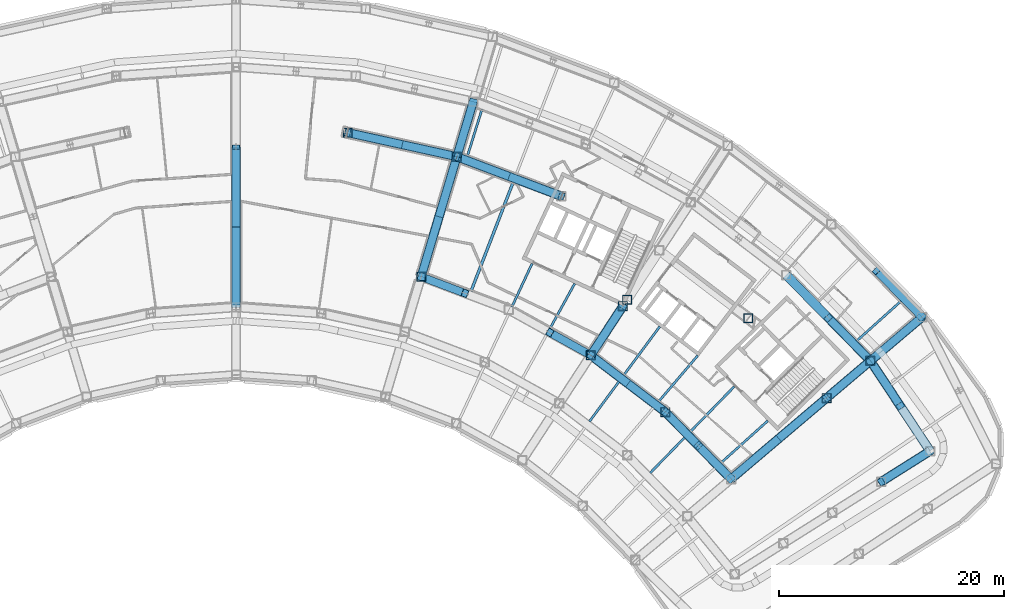
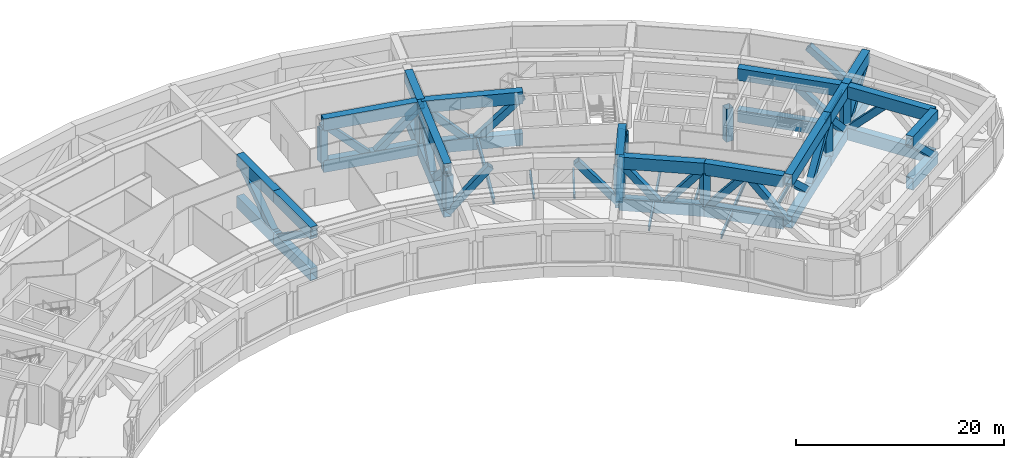
# One storey, part 6 of 30: 41 beams, 34 members.
"""IFC4 building model written with IfcOpenShell, lengths in metres."""

import ifcopenshell
import ifcopenshell.guid

model = None  # the IFC model being written
_history = None  # IfcOwnerHistory: only IFC2X3 demands one
_inside = {}  # id of a spatial element -> (the spatial element, [elements in it])
_under = {}  # id of a project, library or spatial element -> (it, [spatial elements below it])
_declared = {}  # id of a project -> (the project, [libraries it declares])
_typed = {}  # id of a type object -> (the type object, [elements of that type])
_made_of = {}  # id of a material, layer set ... -> (it, [elements and type objects made of it])


def new_model(schema):
    """Start an empty IFC model of exactly this schema.

    Asked for "IFC4X3", IfcOpenShell would pick the latest addendum, in which some entities
    have other attributes; the version numbers below select the first issue.
    IFC2X3 requires an IfcOwnerHistory on every rooted entity: one is made here for all.
    """
    global model, _history
    if schema == "IFC4X3":
        model = ifcopenshell.file(schema_version=(4, 3, 0, 0))
    else:
        model = ifcopenshell.file(schema=schema)
    _inside.clear()
    _under.clear()
    _declared.clear()
    _typed.clear()
    _made_of.clear()
    _history = None
    if model.schema == "IFC2X3":
        org = make("IfcOrganization", Name="unknown")
        user = make(
            "IfcPersonAndOrganization",
            ThePerson=make("IfcPerson", FamilyName="unknown"),
            TheOrganization=org,
        )
        app = make(
            "IfcApplication",
            ApplicationDeveloper=org,
            Version="unknown",
            ApplicationFullName="unknown",
            ApplicationIdentifier="unknown",
        )
        _history = make(
            "IfcOwnerHistory",
            OwningUser=user,
            OwningApplication=app,
            ChangeAction="ADDED",
            CreationDate=0,
        )
    return model


def make(cls, **values):
    """One entity of the class cls with the attributes given. An attribute that is None is left unset."""
    return model.create_entity(
        cls, **{name: value for name, value in values.items() if value is not None}
    )


def rooted(cls, **values):
    """An entity with a GlobalId (a new one), such as an element, a storey or a relation."""
    return make(cls, GlobalId=ifcopenshell.guid.new(), OwnerHistory=_history, **values)


def si_unit(unit_type, name, prefix=None):
    """IfcSIUnit, for example si_unit("LENGTHUNIT", "METRE", prefix="MILLI")."""
    return make("IfcSIUnit", UnitType=unit_type, Prefix=prefix, Name=name)


def assignment(units):
    """IfcUnitAssignment: the units of a project."""
    return None if units is None else make("IfcUnitAssignment", Units=units)


def point(xyz):
    """IfcCartesianPoint."""
    return None if xyz is None else make("IfcCartesianPoint", Coordinates=xyz)


def direction(xyz):
    """IfcDirection."""
    return None if xyz is None else make("IfcDirection", DirectionRatios=xyz)


def frame(location, z_axis=None, x_axis=None):
    """IfcAxis2Placement3D, a coordinate frame: its origin and axes. An axis left out is left unset."""
    return make(
        "IfcAxis2Placement3D",
        Location=point(location),
        Axis=direction(z_axis),
        RefDirection=direction(x_axis),
    )


def frame_2d(location, x_axis=None):
    """IfcAxis2Placement2D, a coordinate frame in the plane: its origin and x axis."""
    return make(
        "IfcAxis2Placement2D", Location=point(location), RefDirection=direction(x_axis)
    )


def origin():
    """The frame at (0, 0, 0) with its axes left unset."""
    return frame((0.0, 0.0, 0.0))


def origin_2d():
    """The frame at (0, 0) in the plane with its x axis left unset."""
    return frame_2d((0.0, 0.0))


def place(relative_to, where):
    """IfcLocalPlacement: puts the frame where relative to a parent placement (None: the world)."""
    return make(
        "IfcLocalPlacement", PlacementRelTo=relative_to, RelativePlacement=where
    )


def context(
    kind, dimensions, precision=None, world=None, true_north=None, identifier=None
):
    """IfcGeometricRepresentationContext, for example the 3D "Model" context."""
    return make(
        "IfcGeometricRepresentationContext",
        ContextIdentifier=identifier,
        ContextType=kind,
        CoordinateSpaceDimension=dimensions,
        Precision=precision,
        WorldCoordinateSystem=world,
        TrueNorth=true_north,
    )


def subcontext(parent, identifier, kind, view, scale=None):
    """IfcGeometricRepresentationSubContext, for example "Body" below "Model"."""
    return make(
        "IfcGeometricRepresentationSubContext",
        ContextIdentifier=identifier,
        ContextType=kind,
        ParentContext=parent,
        TargetScale=scale,
        TargetView=view,
    )


def project(units=None, contexts=None):
    """IfcProject with its units and contexts."""
    return rooted(
        "IfcProject",
        Name="project",
        RepresentationContexts=contexts,
        UnitsInContext=assignment(units),
    )


def spatial(cls, under=None, at=None, **own):
    """A site, building, storey or space (cls), placed at a placement, below another one or the project."""
    s = rooted(cls, ObjectPlacement=at, **own)
    if under is not None:
        _under.setdefault(under.id(), (under, []))[1].append(s)
    return s


def profile(cls, at=None, kind="AREA", **sizes):
    """A parametric profile (cls). Its sizes go by their IFC names, for example OverallWidth=200.0."""
    return make(cls, ProfileType=kind, Position=at, **sizes)


def hollow_rectangle(**sizes):
    """IfcRectangleHollowProfileDef."""
    return profile("IfcRectangleHollowProfileDef", **sizes)


def i_section(**sizes):
    """IfcIShapeProfileDef."""
    return profile("IfcIShapeProfileDef", **sizes)


def extrude(swept, where, along, depth):
    """IfcExtrudedAreaSolid: the profile swept, set in the frame where, extruded along a direction by depth."""
    return make(
        "IfcExtrudedAreaSolid",
        SweptArea=swept,
        Position=where,
        ExtrudedDirection=direction(along),
        Depth=depth,
    )


def shape(context_of_items, identifier, shape_type, items):
    """IfcShapeRepresentation: the items that make up one representation, for example the "Body"."""
    return make(
        "IfcShapeRepresentation",
        ContextOfItems=context_of_items,
        RepresentationIdentifier=identifier,
        RepresentationType=shape_type,
        Items=items,
    )


def material(Name=None, Category=None):
    """IfcMaterial."""
    return make("IfcMaterial", Name=Name, Category=Category)


def material_profile(
    of_material, cross_section, Name=None, Category=None, Priority=None
):
    """IfcMaterialProfile: a cross section and its material."""
    return make(
        "IfcMaterialProfile",
        Name=Name,
        Material=of_material,
        Profile=cross_section,
        Priority=Priority,
        Category=Category,
    )


def profile_set(profiles, Name=None, composite=None):
    """IfcMaterialProfileSet."""
    return make(
        "IfcMaterialProfileSet",
        Name=Name,
        MaterialProfiles=profiles,
        CompositeProfile=composite,
    )


def made_of(thing, what):
    """Note that an element or type object is made of a material, layer set ...; save() writes the relation."""
    if what is not None:
        _made_of.setdefault(what.id(), (what, []))[1].append(thing)
    return thing


def type_object(cls, material=None, **own):
    """A type object (cls), such as IfcWallType, which elements share."""
    return made_of(rooted(cls, **own), material)


def element(
    cls,
    number,
    at=None,
    inside=None,
    cuts=None,
    type_object=None,
    material=None,
    context=None,
    identifier="Body",
    shape_type=None,
    held_by="IfcProductDefinitionShape",
    body=None,
    shapes=None,
    **own,
):
    """One element of the class cls, such as IfcWall. Its Tag is "e" and its number.

    at: its placement. inside: the storey or other place that contains it. cuts: it is an
    opening in that element (IfcRelVoidsElement). A single representation is given by context,
    identifier, shape_type and body (its items); several are given by shapes. held_by: the class
    of the entity that holds the representations. save() writes the other relations.
    """
    e = rooted(cls, Tag="e%d" % number, ObjectPlacement=at, **own)
    if body is not None:
        shapes = [shape(context, identifier, shape_type, body)]
    if shapes is not None:
        e.Representation = make(held_by, Representations=shapes)
    if inside is not None:
        _inside.setdefault(inside.id(), (inside, []))[1].append(e)
    if cuts is not None:
        rooted(
            "IfcRelVoidsElement", RelatingBuildingElement=cuts, RelatedOpeningElement=e
        )
    if type_object is not None:
        _typed.setdefault(type_object.id(), (type_object, []))[1].append(e)
    return made_of(e, material)


def aggregate(whole, parts):
    """IfcRelAggregates: a whole, such as a stair, and the parts it consists of."""
    return rooted("IfcRelAggregates", RelatingObject=whole, RelatedObjects=parts)


def save(model, path):
    """Write the relations noted so far, then the file.

    IfcRelAggregates (storeys below a building ...), IfcRelContainedInSpatialStructure (elements
    in a storey), IfcRelDefinesByType, IfcRelAssociatesMaterial and IfcRelDeclares: one each for
    every whole, place, type object, material and project.
    """
    for whole, parts in _under.values():
        aggregate(whole, parts)
    for where, things in _inside.values():
        rooted(
            "IfcRelContainedInSpatialStructure",
            RelatedElements=things,
            RelatingStructure=where,
        )
    for kind, things in _typed.values():
        rooted("IfcRelDefinesByType", RelatedObjects=things, RelatingType=kind)
    for what, things in _made_of.values():
        rooted("IfcRelAssociatesMaterial", RelatedObjects=things, RelatingMaterial=what)
    for by, libraries in _declared.values():
        rooted("IfcRelDeclares", RelatingContext=by, RelatedDefinitions=libraries)
    model.write(path)


model = new_model("IFC4")

# Units and contexts
model_context = context("Model", 3, precision=1e-05, world=origin(), true_north=direction((0.0, 1.0)))
body_context = subcontext(model_context, "Body", "Model", "MODEL_VIEW")
ifc_project = project(units=[si_unit("LENGTHUNIT", "METRE"), si_unit("AREAUNIT", "SQUARE_METRE"), si_unit("VOLUMEUNIT", "CUBIC_METRE"), si_unit("PLANEANGLEUNIT", "RADIAN"), si_unit("MASSUNIT", "GRAM", prefix="KILO")], contexts=[model_context])

# Site, building, storey
site_placement = place(None, origin())
site = spatial("IfcSite", under=ifc_project, at=site_placement, CompositionType="ELEMENT")
building_placement = place(site_placement, origin())
building = spatial("IfcBuilding", under=site, at=building_placement, Name="Tuul Gate Civic Tower", CompositionType="ELEMENT")
storey_placement = place(building_placement, frame((0.0, 0.0, 26.699951171875)))
storey = spatial("IfcBuildingStorey", under=building, at=storey_placement, Name="Plant and refuge floor 1", CompositionType="ELEMENT", Elevation=26.699951171875)

# Beams
ifc_material_1 = material(Name="Steel S355", Category="steel")
ifc_material_profile_1 = material_profile(ifc_material_1, i_section(OverallWidth=0.199951171875, OverallDepth=0.5, WebThickness=0.010009765625, FlangeThickness=0.01611328125, at=origin_2d()), Name="PG500x200x10x16")
ifc_profile_set_1 = profile_set([ifc_material_profile_1], Name="Steel S355")
beam_type_1 = type_object("IfcBeamType", Name="STR-FLOOR BEAM-PG500x200x10x16", PredefinedType="BEAM", material=ifc_profile_set_1)
beam_1_placement = place(storey_placement, frame((43.076904296875, -21.297119140625, -0.64990234375), z_axis=(0.743850003805, 0.668346595591, 0.0), x_axis=(-0.668346595591, 0.743850003805, 0.0)))
element("IfcBeam", 1, at=beam_1_placement, inside=storey, type_object=beam_type_1, Name="Floor beam", PredefinedType="BEAM", context=body_context, shape_type="SweptSolid", body=[
    extrude(i_section(OverallWidth=0.199951171875, OverallDepth=0.5, WebThickness=0.010009765625, FlangeThickness=0.01611328125, at=origin_2d()), origin(), (0.0, 0.0, 1.0), 5.610107421875),
])
beam_2_placement = place(storey_placement, frame((55.139404296875, -10.45947265625, -0.64990234375), z_axis=(0.74386143975, 0.668333867504, 0.0), x_axis=(-0.668333867504, 0.74386143975, 0.0)))
element("IfcBeam", 2, at=beam_2_placement, inside=storey, type_object=beam_type_1, Name="Floor beam", PredefinedType="BEAM", context=body_context, shape_type="SweptSolid", body=[
    extrude(i_section(OverallWidth=0.199951171875, OverallDepth=0.5, WebThickness=0.010009765625, FlangeThickness=0.01611328125, at=origin_2d()), origin(), (0.0, 0.0, 1.0), 5.304443359375),
])
beam_3_placement = place(storey_placement, frame((36.80029296875, -22.17919921875, -0.64990234375), z_axis=(0.69738884561, 0.716692959376, 0.0), x_axis=(-0.716692959376, 0.69738884561, 0.0)))
element("IfcBeam", 3, at=beam_3_placement, inside=storey, type_object=beam_type_1, Name="Floor beam", PredefinedType="BEAM", context=body_context, shape_type="SweptSolid", body=[
    extrude(i_section(OverallWidth=0.199951171875, OverallDepth=0.5, WebThickness=0.010009765625, FlangeThickness=0.01611328125, at=origin_2d()), origin(), (0.0, 0.0, 1.0), 4.401123046875),
])
beam_4_placement = place(storey_placement, frame((40.35791015625, -18.523193359375, -0.64990234375), z_axis=(0.697351332293, 0.716729460361, 0.0), x_axis=(-0.716729460361, 0.697351332293, 0.0)))
element("IfcBeam", 4, at=beam_4_placement, inside=storey, type_object=beam_type_1, Name="Floor beam", PredefinedType="BEAM", context=body_context, shape_type="SweptSolid", body=[
    extrude(i_section(OverallWidth=0.199951171875, OverallDepth=0.5, WebThickness=0.010009765625, FlangeThickness=0.01611328125, at=origin_2d()), origin(), (0.0, 0.0, 1.0), 5.6064453125),
])
beam_5_placement = place(storey_placement, frame((37.52978515625, -15.8583984375, -0.64990234375), z_axis=(0.647749419, 0.761853457159, 0.0), x_axis=(-0.761853457159, 0.647749419, 0.0)))
element("IfcBeam", 5, at=beam_5_placement, inside=storey, type_object=beam_type_1, Name="Floor beam", PredefinedType="BEAM", context=body_context, shape_type="SweptSolid", body=[
    extrude(i_section(OverallWidth=0.199951171875, OverallDepth=0.5, WebThickness=0.010009765625, FlangeThickness=0.01611328125, at=origin_2d()), origin(), (0.0, 0.0, 1.0), 5.402587890625),
])
beam_6_placement = place(storey_placement, frame((31.402587890625, -17.603271484375, -0.64990234375), z_axis=(0.595195706564, 0.803580780562, 0.0), x_axis=(-0.803580780562, 0.595195706564, 0.0)))
element("IfcBeam", 6, at=beam_6_placement, inside=storey, type_object=beam_type_1, Name="Floor beam", PredefinedType="BEAM", context=body_context, shape_type="SweptSolid", body=[
    extrude(i_section(OverallWidth=0.199951171875, OverallDepth=0.5, WebThickness=0.010009765625, FlangeThickness=0.01611328125, at=origin_2d()), origin(), (0.0, 0.0, 1.0), 4.400390625),
])
beam_7_placement = place(storey_placement, frame((34.438232421875, -13.504638671875, -0.64990234375), z_axis=(0.595211319649, 0.803569216037, 0.0), x_axis=(-0.803569216037, 0.595211319649, 0.0)))
element("IfcBeam", 7, at=beam_7_placement, inside=storey, type_object=beam_type_1, Name="Floor beam", PredefinedType="BEAM", context=body_context, shape_type="SweptSolid", body=[
    extrude(i_section(OverallWidth=0.199951171875, OverallDepth=0.5, WebThickness=0.010009765625, FlangeThickness=0.01611328125, at=origin_2d()), origin(), (0.0, 0.0, 1.0), 5.395751953125),
])
beam_8_placement = place(storey_placement, frame((27.90478515625, -9.318603515625, -0.64990234375), z_axis=(0.482334151839, 0.875987309251, 0.0), x_axis=(-0.875987309251, 0.482334151839, 0.0)))
element("IfcBeam", 8, at=beam_8_placement, inside=storey, type_object=beam_type_1, Name="Floor beam", PredefinedType="BEAM", context=body_context, shape_type="SweptSolid", body=[
    extrude(i_section(OverallWidth=0.199951171875, OverallDepth=0.5, WebThickness=0.010009765625, FlangeThickness=0.01611328125, at=origin_2d()), origin(), (0.0, 0.0, 1.0), 4.5341796875),
])
beam_9_placement = place(storey_placement, frame((24.50341796875, -7.43310546875, -0.64990234375), z_axis=(0.4224956944, 0.906364931037, 0.0), x_axis=(-0.906364931037, 0.4224956944, 0.0)))
element("IfcBeam", 9, at=beam_9_placement, inside=storey, type_object=beam_type_1, Name="Floor beam", PredefinedType="BEAM", context=body_context, shape_type="SweptSolid", body=[
    extrude(i_section(OverallWidth=0.199951171875, OverallDepth=0.5, WebThickness=0.010009765625, FlangeThickness=0.01611328125, at=origin_2d()), origin(), (0.0, 0.0, 1.0), 4.25244140625),
])
beam_10_placement = place(storey_placement, frame((20.54443359375, 5.951904296875, -0.64990234375), z_axis=(0.297423386988, 0.954745688062, 0.0), x_axis=(-0.954745688062, 0.297423386988, 0.0)))
element("IfcBeam", 10, at=beam_10_placement, inside=storey, type_object=beam_type_1, Name="Floor beam", PredefinedType="BEAM", context=body_context, shape_type="SweptSolid", body=[
    extrude(i_section(OverallWidth=0.199951171875, OverallDepth=0.5, WebThickness=0.010009765625, FlangeThickness=0.01611328125, at=origin_2d()), origin(), (0.0, 0.0, 1.0), 4.407958984375),
])
ifc_material_2 = material(Name="Steel S355", Category="steel")
ifc_material_profile_2 = material_profile(ifc_material_2, i_section(OverallWidth=0.25, OverallDepth=0.64990234375, WebThickness=0.011962890625, FlangeThickness=0.02001953125, at=origin_2d()), Name="PG650x250x12x20")
ifc_profile_set_2 = profile_set([ifc_material_profile_2], Name="Steel S355")
beam_type_2 = type_object("IfcBeamType", Name="STR-FLOOR BEAM-PG650x250x12x20", PredefinedType="BEAM", material=ifc_profile_set_2)
beam_11_placement = place(storey_placement, frame((20.87255859375, -6.039306640625, -0.724853515625), z_axis=(0.360774794801, 0.932652961951, 0.0), x_axis=(-0.932652961951, 0.360774794801, 0.0)))
element("IfcBeam", 11, at=beam_11_placement, inside=storey, type_object=beam_type_2, Name="Floor beam", PredefinedType="BEAM", context=body_context, shape_type="SweptSolid", body=[
    extrude(i_section(OverallWidth=0.25, OverallDepth=0.64990234375, WebThickness=0.011962890625, FlangeThickness=0.02001953125, at=origin_2d()), origin(), (0.0, 0.0, 1.0), 10.400390625),
])
ifc_material_3 = material(Name="Steel S460", Category="steel")
ifc_material_profile_3 = material_profile(ifc_material_3, hollow_rectangle(XDim=0.800048828125, YDim=1.39990234375, WallThickness=0.0400390625, at=origin_2d()), Name="BOX1400x800x40")
ifc_profile_set_3 = profile_set([ifc_material_profile_3], Name="Steel S460")
beam_type_3 = type_object("IfcBeamType", Name="STR-TRANSFER TRUSS CHORD-BOX1400x800x40", PredefinedType="BEAM", material=ifc_profile_set_3)
beam_12_placement = place(storey_placement, frame((21.076416015625, 10.8291015625, -1.099853515625), z_axis=(-0.285222788824, -0.95846124634, 0.0), x_axis=(0.95846124634, -0.285222788824, 0.0)))
element("IfcBeam", 12, at=beam_12_placement, inside=storey, type_object=beam_type_3, Name="Radial truss bottom chord", PredefinedType="BEAM", context=body_context, shape_type="SweptSolid", body=[
    extrude(hollow_rectangle(XDim=0.800048828125, YDim=1.39990234375, WallThickness=0.0400390625, at=origin_2d()), origin(), (0.0, 0.0, 1.0), 5.113525390625),
])
beam_13_placement = place(storey_placement, frame((19.617919921875, 5.927978515625, -1.099853515625), z_axis=(-0.285181622403, -0.958473495848, 0.0), x_axis=(0.958473495848, -0.285181622403, 0.0)))
element("IfcBeam", 13, at=beam_13_placement, inside=storey, type_object=beam_type_3, Name="Radial truss bottom chord", PredefinedType="BEAM", context=body_context, shape_type="SweptSolid", body=[
    extrude(hollow_rectangle(XDim=0.800048828125, YDim=1.39990234375, WallThickness=0.0400390625, at=origin_2d()), origin(), (0.0, 0.0, 1.0), 11.129150390625),
])
beam_14_placement = place(storey_placement, frame((21.076416015625, 10.8291015625, 3.800048828125), z_axis=(-0.285222788824, -0.95846124634, 0.0), x_axis=(0.95846124634, -0.285222788824, 0.0)))
element("IfcBeam", 14, at=beam_14_placement, inside=storey, type_object=beam_type_3, Name="Radial truss top chord", PredefinedType="BEAM", context=body_context, shape_type="SweptSolid", body=[
    extrude(hollow_rectangle(XDim=0.800048828125, YDim=1.39990234375, WallThickness=0.0400390625, at=origin_2d()), origin(), (0.0, 0.0, 1.0), 5.113525390625),
])
beam_15_placement = place(storey_placement, frame((19.617919921875, 5.927978515625, 3.800048828125), z_axis=(-0.285181622403, -0.958473495848, 0.0), x_axis=(0.958473495848, -0.285181622403, 0.0)))
element("IfcBeam", 15, at=beam_15_placement, inside=storey, type_object=beam_type_3, Name="Radial truss top chord", PredefinedType="BEAM", context=body_context, shape_type="SweptSolid", body=[
    extrude(hollow_rectangle(XDim=0.800048828125, YDim=1.39990234375, WallThickness=0.0400390625, at=origin_2d()), origin(), (0.0, 0.0, 1.0), 11.129150390625),
])
beam_16_placement = place(storey_placement, frame((60.9609375, -8.327880859375, -1.099853515625), z_axis=(-0.762814843241, -0.646616976989, 0.0), x_axis=(0.646616976989, -0.762814843241, 0.0)))
element("IfcBeam", 16, at=beam_16_placement, inside=storey, type_object=beam_type_3, Name="Radial truss bottom chord", PredefinedType="BEAM", context=body_context, shape_type="SweptSolid", body=[
    extrude(hollow_rectangle(XDim=0.800048828125, YDim=1.39990234375, WallThickness=0.0400390625, at=origin_2d()), origin(), (0.0, 0.0, 1.0), 6.015380859375),
])
beam_17_placement = place(storey_placement, frame((56.372314453125, -12.217529296875, -1.099853515625), z_axis=(-0.762840917867, -0.646586215464, 0.0), x_axis=(0.646586215464, -0.762840917867, 0.0)))
element("IfcBeam", 17, at=beam_17_placement, inside=storey, type_object=beam_type_3, Name="Radial truss bottom chord", PredefinedType="BEAM", context=body_context, shape_type="SweptSolid", body=[
    extrude(hollow_rectangle(XDim=0.800048828125, YDim=1.39990234375, WallThickness=0.0400390625, at=origin_2d()), origin(), (0.0, 0.0, 1.0), 5.113525390625),
])
beam_18_placement = place(storey_placement, frame((52.471435546875, -15.52392578125, -1.099853515625), z_axis=(-0.762835995983, -0.646592022246, 0.0), x_axis=(0.646592022246, -0.762835995983, 0.0)))
element("IfcBeam", 18, at=beam_18_placement, inside=storey, type_object=beam_type_3, Name="Radial truss bottom chord", PredefinedType="BEAM", context=body_context, shape_type="SweptSolid", body=[
    extrude(hollow_rectangle(XDim=0.800048828125, YDim=1.39990234375, WallThickness=0.0400390625, at=origin_2d()), origin(), (0.0, 0.0, 1.0), 11.129150390625),
])
beam_19_placement = place(storey_placement, frame((60.9609375, -8.327880859375, 3.800048828125), z_axis=(-0.762814843241, -0.646616976989, 0.0), x_axis=(0.646616976989, -0.762814843241, 0.0)))
element("IfcBeam", 19, at=beam_19_placement, inside=storey, type_object=beam_type_3, Name="Radial truss top chord", PredefinedType="BEAM", context=body_context, shape_type="SweptSolid", body=[
    extrude(hollow_rectangle(XDim=0.800048828125, YDim=1.39990234375, WallThickness=0.0400390625, at=origin_2d()), origin(), (0.0, 0.0, 1.0), 6.015380859375),
])
beam_20_placement = place(storey_placement, frame((56.372314453125, -12.217529296875, 3.800048828125), z_axis=(-0.762840917867, -0.646586215464, 0.0), x_axis=(0.646586215464, -0.762840917867, 0.0)))
element("IfcBeam", 20, at=beam_20_placement, inside=storey, type_object=beam_type_3, Name="Radial truss top chord", PredefinedType="BEAM", context=body_context, shape_type="SweptSolid", body=[
    extrude(hollow_rectangle(XDim=0.800048828125, YDim=1.39990234375, WallThickness=0.0400390625, at=origin_2d()), origin(), (0.0, 0.0, 1.0), 5.113525390625),
])
beam_21_placement = place(storey_placement, frame((52.471435546875, -15.52392578125, 3.800048828125), z_axis=(-0.762835995983, -0.646592022246, 0.0), x_axis=(0.646592022246, -0.762835995983, 0.0)))
element("IfcBeam", 21, at=beam_21_placement, inside=storey, type_object=beam_type_3, Name="Radial truss top chord", PredefinedType="BEAM", context=body_context, shape_type="SweptSolid", body=[
    extrude(hollow_rectangle(XDim=0.800048828125, YDim=1.39990234375, WallThickness=0.0400390625, at=origin_2d()), origin(), (0.0, 0.0, 1.0), 11.129150390625),
])
for number, where, z_axis, x_axis, name in (
    (22, (0.0, 6.77978515625, -1.099853515625), (0.0, -1.0, 0.0), (1.0, 0.0, 0.0), "Radial truss bottom chord"),
    (23, (0.0, -0.338623046875, -1.099853515625), (0.0, -1.0, 0.0), (1.0, 0.0, 0.0), "Radial truss bottom chord"),
    (24, (0.0, 6.77978515625, 3.800048828125), (0.0, -1.0, 0.0), (1.0, 0.0, 0.0), "Radial truss top chord"),
    (25, (0.0, -0.338623046875, 3.800048828125), (0.0, -1.0, 0.0), (1.0, 0.0, 0.0), "Radial truss top chord"),
):
    element("IfcBeam", number, at=place(storey_placement, frame(where, z_axis=z_axis, x_axis=x_axis)), inside=storey, type_object=beam_type_3, Name=name, PredefinedType="BEAM", context=body_context, shape_type="SweptSolid", body=[
        extrude(hollow_rectangle(XDim=0.800048828125, YDim=1.39990234375, WallThickness=0.0400390625, at=origin_2d()), origin(), (0.0, 0.0, 1.0), 7.118408203125),
    ])
for number, where, z_axis, x_axis, name in (
    (26, (34.380615234375, -7.3466796875, -1.099853515625), (-0.546722092591, -0.837314130702, 0.0), (0.837314130702, -0.546722092591, 0.0), "Radial truss bottom chord"),
    (27, (34.380615234375, -7.3466796875, 3.800048828125), (-0.546722092591, -0.837314130702, 0.0), (0.837314130702, -0.546722092591, 0.0), "Radial truss top chord"),
):
    element("IfcBeam", number, at=place(storey_placement, frame(where, z_axis=z_axis, x_axis=x_axis)), inside=storey, type_object=beam_type_3, Name=name, PredefinedType="BEAM", context=body_context, shape_type="SweptSolid", body=[
        extrude(hollow_rectangle(XDim=0.800048828125, YDim=1.39990234375, WallThickness=0.0400390625, at=origin_2d()), origin(), (0.0, 0.0, 1.0), 5.228271484375),
    ])
for number, where, z_axis, x_axis, name in (
    (28, (56.3720703125, -12.217041015625, -1.099853515625), (-0.700006025331, 0.714136936798, 0.0), (-0.714136936798, -0.700006025331, 0.0), "Belt truss bottom chord"),
    (29, (56.3720703125, -12.217041015625, 3.800048828125), (-0.700006025331, 0.714136936798, 0.0), (-0.714136936798, -0.700006025331, 0.0), "Belt truss top chord"),
):
    element("IfcBeam", number, at=place(storey_placement, frame(where, z_axis=z_axis, x_axis=x_axis)), inside=storey, type_object=beam_type_3, Name=name, PredefinedType="BEAM", context=body_context, shape_type="SweptSolid", body=[
        extrude(hollow_rectangle(XDim=0.800048828125, YDim=1.39990234375, WallThickness=0.0400390625, at=origin_2d()), origin(), (0.0, 0.0, 1.0), 10.67724609375),
    ])
for number, where, z_axis, x_axis, name in (
    (30, (9.912353515625, 8.06689453125, -1.099853515625), (0.9765692044, -0.215203598988, 0.0), (0.215203598988, 0.9765692044, 0.0), "Belt truss bottom chord"),
    (31, (9.912353515625, 8.06689453125, 3.800048828125), (0.9765692044, -0.215203598988, 0.0), (0.215203598988, 0.9765692044, 0.0), "Belt truss top chord"),
):
    element("IfcBeam", number, at=place(storey_placement, frame(where, z_axis=z_axis, x_axis=x_axis)), inside=storey, type_object=beam_type_3, Name=name, PredefinedType="BEAM", context=body_context, shape_type="SweptSolid", body=[
        extrude(hollow_rectangle(XDim=0.800048828125, YDim=1.39990234375, WallThickness=0.0400390625, at=origin_2d()), origin(), (0.0, 0.0, 1.0), 9.537353515625),
    ])
for number, where, z_axis, x_axis, name in (
    (32, (19.617919921875, 5.927978515625, -1.099853515625), (0.935371714164, -0.353666165108, 0.0), (0.353666165108, 0.935371714164, 0.0), "Belt truss bottom chord"),
    (33, (19.617919921875, 5.927978515625, 3.800048828125), (0.935371714164, -0.353666165108, 0.0), (0.353666165108, 0.935371714164, 0.0), "Belt truss top chord"),
):
    element("IfcBeam", number, at=place(storey_placement, frame(where, z_axis=z_axis, x_axis=x_axis)), inside=storey, type_object=beam_type_3, Name=name, PredefinedType="BEAM", context=body_context, shape_type="SweptSolid", body=[
        extrude(hollow_rectangle(XDim=0.800048828125, YDim=1.39990234375, WallThickness=0.0400390625, at=origin_2d()), origin(), (0.0, 0.0, 1.0), 9.9384765625),
    ])
for number, where, z_axis, x_axis, name in (
    (34, (61.6708984375, -20.22998046875, -1.099853515625), (-0.551586630676, 0.834117610927, 0.0), (-0.834117610927, -0.551586630676, 0.0), "Belt truss bottom chord"),
    (35, (61.6708984375, -20.22998046875, 3.800048828125), (-0.551586630676, 0.834117610927, 0.0), (-0.834117610927, -0.551586630676, 0.0), "Belt truss top chord"),
):
    element("IfcBeam", number, at=place(storey_placement, frame(where, z_axis=z_axis, x_axis=x_axis)), inside=storey, type_object=beam_type_3, Name=name, PredefinedType="BEAM", context=body_context, shape_type="SweptSolid", body=[
        extrude(hollow_rectangle(XDim=0.800048828125, YDim=1.39990234375, WallThickness=0.0400390625, at=origin_2d()), origin(), (0.0, 0.0, 1.0), 9.203857421875),
    ])
for number, where, z_axis, x_axis, name in (
    (36, (38.14990234375, -16.770751953125, -1.099853515625), (0.700021234992, -0.71412202778, 0.0), (0.71412202778, 0.700021234992, 0.0), "Belt truss bottom chord"),
    (37, (38.14990234375, -16.770751953125, 3.800048828125), (0.700021234992, -0.71412202778, 0.0), (0.71412202778, 0.700021234992, 0.0), "Belt truss top chord"),
):
    element("IfcBeam", number, at=place(storey_placement, frame(where, z_axis=z_axis, x_axis=x_axis)), inside=storey, type_object=beam_type_3, Name=name, PredefinedType="BEAM", context=body_context, shape_type="SweptSolid", body=[
        extrude(hollow_rectangle(XDim=0.800048828125, YDim=1.39990234375, WallThickness=0.0400390625, at=origin_2d()), origin(), (0.0, 0.0, 1.0), 7.9296875),
    ])
for number, where, z_axis, x_axis, name in (
    (38, (31.522216796875, -11.724365234375, -1.099853515625), (0.795621404468, -0.605794173587, 0.0), (0.605794173587, 0.795621404468, 0.0), "Belt truss bottom chord"),
    (39, (31.522216796875, -11.724365234375, 3.800048828125), (0.795621404468, -0.605794173587, 0.0), (0.605794173587, 0.795621404468, 0.0), "Belt truss top chord"),
):
    element("IfcBeam", number, at=place(storey_placement, frame(where, z_axis=z_axis, x_axis=x_axis)), inside=storey, type_object=beam_type_3, Name=name, PredefinedType="BEAM", context=body_context, shape_type="SweptSolid", body=[
        extrude(hollow_rectangle(XDim=0.800048828125, YDim=1.39990234375, WallThickness=0.0400390625, at=origin_2d()), origin(), (0.0, 0.0, 1.0), 8.330078125),
    ])
for number, where, z_axis, x_axis, name in (
    (40, (57.327880859375, -22.964111328125, -1.099853515625), (0.846264615796, 0.53276279905, 0.0), (-0.53276279905, 0.846264615796, 0.0), "Belt truss bottom chord"),
    (41, (57.327880859375, -22.964111328125, 3.800048828125), (0.846264615796, 0.53276279905, 0.0), (-0.53276279905, 0.846264615796, 0.0), "Belt truss top chord"),
):
    element("IfcBeam", number, at=place(storey_placement, frame(where, z_axis=z_axis, x_axis=x_axis)), inside=storey, type_object=beam_type_3, Name=name, PredefinedType="BEAM", context=body_context, shape_type="SweptSolid", body=[
        extrude(hollow_rectangle(XDim=0.800048828125, YDim=1.39990234375, WallThickness=0.0400390625, at=origin_2d()), origin(), (0.0, 0.0, 1.0), 5.132080078125),
    ])

# Members
ifc_material_4 = material(Name="Steel S355", Category="steel")
ifc_material_profile_4 = material_profile(ifc_material_4, hollow_rectangle(XDim=0.699951171875, YDim=0.699951171875, WallThickness=0.031982421875, at=origin_2d()), Name="BOX700x700x32")
ifc_profile_set_4 = profile_set([ifc_material_profile_4], Name="Steel S355")
member_type_1 = type_object("IfcMemberType", Name="STR-TRANSFER TRUSS DIAGONAL-BOX700x700x32", PredefinedType="BRACE", material=ifc_profile_set_4)
member_1_placement = place(storey_placement, frame((21.077392578125, 10.83251953125, -1.103515625), z_axis=(-0.205922993739, -0.692021053683, 0.691883358602), x_axis=(0.958465578094, -0.285208232013, 0.0)))
element("IfcMember", 42, at=member_1_placement, inside=storey, type_object=member_type_1, Name="Radial truss web", PredefinedType="BRACE", context=body_context, shape_type="SweptSolid", body=[
    extrude(hollow_rectangle(XDim=0.699951171875, YDim=0.699951171875, WallThickness=0.031982421875, at=origin_2d()), origin(), (0.0, 0.0, 1.0), 7.09228515625),
])
for number, where, z_axis, x_axis, name in (
    (43, (18.030029296875, 0.5908203125, -1.103271484375), (0.214031254995, 0.719334419153, 0.660869590242), (-0.958472611044, 0.285184596146, 0.0), "Radial truss web"),
    (44, (18.031982421875, 0.59814453125, -1.103271484375), (-0.214031254995, -0.719334419153, 0.660869590242), (0.958472611044, -0.285184596146, 0.0), "Radial truss web"),
):
    element("IfcMember", number, at=place(storey_placement, frame(where, z_axis=z_axis, x_axis=x_axis)), inside=storey, type_object=member_type_1, Name=name, PredefinedType="BRACE", context=body_context, shape_type="SweptSolid", body=[
        extrude(hollow_rectangle(XDim=0.699951171875, YDim=0.699951171875, WallThickness=0.031982421875, at=origin_2d()), origin(), (0.0, 0.0, 1.0), 7.424560546875),
    ])
member_2_placement = place(storey_placement, frame((56.369384765625, -12.219970703125, -1.10302734375), z_axis=(0.591432791745, 0.50133035198, 0.631565618944), x_axis=(-0.646608860011, 0.762821723705, 0.0)))
element("IfcMember", 45, at=member_2_placement, inside=storey, type_object=member_type_1, Name="Radial truss web", PredefinedType="BRACE", context=body_context, shape_type="SweptSolid", body=[
    extrude(hollow_rectangle(XDim=0.699951171875, YDim=0.699951171875, WallThickness=0.031982421875, at=origin_2d()), origin(), (0.0, 0.0, 1.0), 7.768310546875),
])
member_3_placement = place(storey_placement, frame((56.375, -12.215087890625, -1.103515625), z_axis=(-0.550791239799, -0.466869669733, 0.691853829681), x_axis=(0.64660022906, -0.76282903968, 0.0)))
element("IfcMember", 46, at=member_3_placement, inside=storey, type_object=member_type_1, Name="Radial truss web", PredefinedType="BRACE", context=body_context, shape_type="SweptSolid", body=[
    extrude(hollow_rectangle(XDim=0.699951171875, YDim=0.699951171875, WallThickness=0.031982421875, at=origin_2d()), origin(), (0.0, 0.0, 1.0), 7.092529296875),
])
for number, where, z_axis, x_axis, name in (
    (47, (48.2236328125, -19.12451171875, -1.103271484375), (0.572487943389, 0.485283002213, 0.660876662046), (-0.646617641668, 0.762814279811, 0.0), "Radial truss web"),
    (48, (48.229248046875, -19.11962890625, -1.103271484375), (-0.572497078728, -0.485257862768, 0.660887207827), (0.646592145429, -0.762835891571, 0.0), "Radial truss web"),
):
    element("IfcMember", number, at=place(storey_placement, frame(where, z_axis=z_axis, x_axis=x_axis)), inside=storey, type_object=member_type_1, Name=name, PredefinedType="BRACE", context=body_context, shape_type="SweptSolid", body=[
        extrude(hollow_rectangle(XDim=0.699951171875, YDim=0.699951171875, WallThickness=0.031982421875, at=origin_2d()), origin(), (0.0, 0.0, 1.0), 7.424560546875),
    ])
for number, where, z_axis, x_axis, name in (
    (49, (0.0, -0.3427734375, -1.102783203125), (0.0, 0.82370090634, 0.567024529359), (-1.0, 0.0, 0.0), "Radial truss web"),
    (50, (0.0, -0.33447265625, -1.102783203125), (0.0, -0.823709978778, 0.567011349853), (1.0, 0.0, 0.0), "Radial truss web"),
):
    element("IfcMember", number, at=place(storey_placement, frame(where, z_axis=z_axis, x_axis=x_axis)), inside=storey, type_object=member_type_1, Name=name, PredefinedType="BRACE", context=body_context, shape_type="SweptSolid", body=[
        extrude(hollow_rectangle(XDim=0.699951171875, YDim=0.699951171875, WallThickness=0.031982421875, at=origin_2d()), origin(), (0.0, 0.0, 1.0), 8.65185546875),
    ])
member_4_placement = place(storey_placement, frame((31.520263671875, -11.727294921875, -1.103271484375), z_axis=(0.398904817563, 0.610946341194, 0.683827108783), x_axis=(-0.837321040353, 0.546711510197, 0.0)))
element("IfcMember", 51, at=member_4_placement, inside=storey, type_object=member_type_1, Name="Radial truss web", PredefinedType="BRACE", context=body_context, shape_type="SweptSolid", body=[
    extrude(hollow_rectangle(XDim=0.699951171875, YDim=0.699951171875, WallThickness=0.031982421875, at=origin_2d()), origin(), (0.0, 0.0, 1.0), 7.17529296875),
])
member_5_placement = place(storey_placement, frame((60.963623046875, -8.330810546875, -1.103271484375), z_axis=(-0.533710589686, 0.544464652002, 0.647079013086), x_axis=(-0.714124166661, -0.70001905302, 0.0)))
element("IfcMember", 52, at=member_5_placement, inside=storey, type_object=member_type_1, Name="Belt truss web", PredefinedType="BRACE", context=body_context, shape_type="SweptSolid", body=[
    extrude(hollow_rectangle(XDim=0.699951171875, YDim=0.699951171875, WallThickness=0.031982421875, at=origin_2d()), origin(), (0.0, 0.0, 1.0), 7.58251953125),
])
member_6_placement = place(storey_placement, frame((56.37451171875, -12.2197265625, -1.103271484375), z_axis=(-0.515704401296, 0.52613422674, 0.676189134737), x_axis=(-0.714149827828, -0.69999287383, 0.0)))
element("IfcMember", 53, at=member_6_placement, inside=storey, type_object=member_type_1, Name="Belt truss web", PredefinedType="BRACE", context=body_context, shape_type="SweptSolid", body=[
    extrude(hollow_rectangle(XDim=0.699951171875, YDim=0.699951171875, WallThickness=0.031982421875, at=origin_2d()), origin(), (0.0, 0.0, 1.0), 7.25634765625),
])
for number, where, z_axis, x_axis, name in (
    (54, (14.7685546875, 6.996826171875, -1.103515625), (-0.695356765264, 0.15325446517, 0.70213391736), (-0.215231457698, -0.976563064844, 0.0), "Belt truss web"),
    (55, (14.76171875, 6.998291015625, -1.103515625), (0.695374807166, -0.153250742441, 0.702116861712), (0.21522114615, 0.97656533742, 0.0), "Belt truss web"),
):
    element("IfcMember", number, at=place(storey_placement, frame(where, z_axis=z_axis, x_axis=x_axis)), inside=storey, type_object=member_type_1, Name=name, PredefinedType="BRACE", context=body_context, shape_type="SweptSolid", body=[
        extrude(hollow_rectangle(XDim=0.699951171875, YDim=0.699951171875, WallThickness=0.031982421875, at=origin_2d()), origin(), (0.0, 0.0, 1.0), 6.98876953125),
    ])
member_7_placement = place(storey_placement, frame((24.269287109375, 4.169189453125, -1.103515625), z_axis=(-0.666016820188, 0.251839247665, 0.702138582164), x_axis=(-0.353686781561, -0.935363918777, 0.0)))
element("IfcMember", 56, at=member_7_placement, inside=storey, type_object=member_type_1, Name="Belt truss web", PredefinedType="BRACE", context=body_context, shape_type="SweptSolid", body=[
    extrude(hollow_rectangle(XDim=0.699951171875, YDim=0.699951171875, WallThickness=0.031982421875, at=origin_2d()), origin(), (0.0, 0.0, 1.0), 6.988525390625),
])
member_8_placement = place(storey_placement, frame((24.2626953125, 4.171875, -1.103515625), z_axis=(0.666010960407, -0.251871965619, 0.702132404574), x_axis=(0.353729704922, 0.935347687149, 0.0)))
element("IfcMember", 57, at=member_8_placement, inside=storey, type_object=member_type_1, Name="Belt truss web", PredefinedType="BRACE", context=body_context, shape_type="SweptSolid", body=[
    extrude(hollow_rectangle(XDim=0.699951171875, YDim=0.699951171875, WallThickness=0.031982421875, at=origin_2d()), origin(), (0.0, 0.0, 1.0), 6.98876953125),
])
member_9_placement = place(storey_placement, frame((56.3701171875, -12.214111328125, -1.103515625), z_axis=(0.38612886728, -0.583883125219, 0.714132336431), x_axis=(0.834105978322, 0.551604221273, 0.0)))
element("IfcMember", 58, at=member_9_placement, inside=storey, type_object=member_type_1, Name="Belt truss web", PredefinedType="BRACE", context=body_context, shape_type="SweptSolid", body=[
    extrude(hollow_rectangle(XDim=0.699951171875, YDim=0.699951171875, WallThickness=0.031982421875, at=origin_2d()), origin(), (0.0, 0.0, 1.0), 6.87158203125),
])
for number, where, z_axis, x_axis, name in (
    (59, (31.525146484375, -11.725830078125, -1.103759765625), (-0.566480055331, 0.314016275821, 0.761901650761), (-0.48482291139, -0.874612339606, 0.0), "Belt truss web"),
    (60, (38.147705078125, -16.768310546875, -1.103759765625), (0.453388131295, -0.462522602089, 0.761913410407), (0.714123315499, 0.700019921331, 0.0), "Belt truss web"),
    (61, (43.98388671875, -22.722412109375, -1.103759765625), (-0.453380182966, 0.462552395328, 0.761900053334), (-0.714151990285, -0.699990667632, 0.0), "Belt truss web"),
):
    element("IfcMember", number, at=place(storey_placement, frame(where, z_axis=z_axis, x_axis=x_axis)), inside=storey, type_object=member_type_1, Name=name, PredefinedType="BRACE", context=body_context, shape_type="SweptSolid", body=[
        extrude(hollow_rectangle(XDim=0.699951171875, YDim=0.699951171875, WallThickness=0.031982421875, at=origin_2d()), origin(), (0.0, 0.0, 1.0), 6.44140625),
    ])
member_10_placement = place(storey_placement, frame((16.44091796875, -4.73779296875, -1.103759765625), z_axis=(0.605805963148, -0.229048703954, 0.76192901653), x_axis=(0.353655487967, 0.935375751146, 0.0)))
element("IfcMember", 62, at=member_10_placement, inside=storey, type_object=member_type_1, Name="Belt truss web", PredefinedType="BRACE", context=body_context, shape_type="SweptSolid", body=[
    extrude(hollow_rectangle(XDim=0.699951171875, YDim=0.699951171875, WallThickness=0.031982421875, at=origin_2d()), origin(), (0.0, 0.0, 1.0), 6.441162109375),
])
member_11_placement = place(storey_placement, frame((34.838623046875, -14.24951171875, -1.103759765625), z_axis=(-0.515267972188, 0.392345062537, 0.761947681104), x_axis=(-0.605808662742, -0.795610372071, 0.0)))
element("IfcMember", 63, at=member_11_placement, inside=storey, type_object=member_type_1, Name="Belt truss web", PredefinedType="BRACE", context=body_context, shape_type="SweptSolid", body=[
    extrude(hollow_rectangle(XDim=0.699951171875, YDim=0.699951171875, WallThickness=0.031982421875, at=origin_2d()), origin(), (0.0, 0.0, 1.0), 6.44091796875),
])
member_12_placement = place(storey_placement, frame((34.83349609375, -14.24560546875, -1.103759765625), z_axis=(0.515295811874, -0.392337399684, 0.761932799579), x_axis=(0.605780454584, 0.795631850069, 0.0)))
element("IfcMember", 64, at=member_12_placement, inside=storey, type_object=member_type_1, Name="Belt truss web", PredefinedType="BRACE", context=body_context, shape_type="SweptSolid", body=[
    extrude(hollow_rectangle(XDim=0.699951171875, YDim=0.699951171875, WallThickness=0.031982421875, at=origin_2d()), origin(), (0.0, 0.0, 1.0), 6.441162109375),
])
member_13_placement = place(storey_placement, frame((61.674072265625, -20.22802734375, -1.103515625), z_axis=(-0.612073812756, -0.385303454376, 0.690584459559), x_axis=(0.532737667857, -0.846280436526, 0.0)))
element("IfcMember", 65, at=member_13_placement, inside=storey, type_object=member_type_1, Name="Belt truss web", PredefinedType="BRACE", context=body_context, shape_type="SweptSolid", body=[
    extrude(hollow_rectangle(XDim=0.699951171875, YDim=0.699951171875, WallThickness=0.031982421875, at=origin_2d()), origin(), (0.0, 0.0, 1.0), 7.10546875),
])
ifc_material_5 = material(Name="Steel S355", Category="steel")
ifc_material_profile_5 = material_profile(ifc_material_5, hollow_rectangle(XDim=0.800048828125, YDim=0.800048828125, WallThickness=0.034912109375, at=origin_2d()), Name="BOX800x800x35")
ifc_profile_set_5 = profile_set([ifc_material_profile_5], Name="Steel S355")
member_type_2 = type_object("IfcMemberType", Name="STR-TRUSS POST-BOX800x800x35", PredefinedType="POST", material=ifc_profile_set_5)
for number, where, z_axis, x_axis, name in (
    (66, (19.617919921875, 5.927978515625, -0.594970703125), (0.0, 0.0, 1.0), (1.0, 0.0, 0.0), "Radial truss post"),
    (67, (16.444091796875, -4.739013671875, -0.594970703125), (0.0, 0.0, 1.0), (1.0, 0.0, 0.0), "Radial truss post"),
    (68, (56.372314453125, -12.217529296875, -0.594970703125), (0.0, 0.0, 1.0), (1.0, 0.0, 0.0), "Radial truss post"),
    (69, (52.471435546875, -15.52392578125, -0.594970703125), (0.0, 0.0, 1.0), (1.0, 0.0, 0.0), "Radial truss post"),
    (70, (34.739990234375, -6.796142578125, -0.594970703125), (0.0, 0.0, 1.0), (1.0, 0.0, 0.0), "Radial truss post"),
    (71, (34.380615234375, -7.3466796875, -0.594970703125), (0.0, 0.0, 1.0), (1.0, 0.0, 0.0), "Radial truss post"),
    (72, (31.522216796875, -11.724365234375, -0.594970703125), (0.0, 0.0, 1.0), (1.0, 0.0, 0.0), "Radial truss post"),
    (73, (9.912353515625, 8.06689453125, -0.594970703125), (0.0, 0.0, 1.0), (1.0, 0.0, 0.0), "Belt truss post"),
    (74, (45.513916015625, -8.42626953125, -0.594970703125), (0.0, 0.0, 1.0), (1.0, 0.0, 0.0), "Belt truss post"),
    (75, (38.14990234375, -16.770751953125, -0.594970703125), (0.0, 0.0, 1.0), (1.0, 0.0, 0.0), "Belt truss post"),
):
    element("IfcMember", number, at=place(storey_placement, frame(where, z_axis=z_axis, x_axis=x_axis)), inside=storey, type_object=member_type_2, Name=name, PredefinedType="POST", context=body_context, shape_type="SweptSolid", body=[
        extrude(hollow_rectangle(XDim=0.800048828125, YDim=0.800048828125, WallThickness=0.034912109375, at=origin_2d()), origin(), (0.0, 0.0, 1.0), 3.89013671875),
    ])

save(model, "model.ifc")
